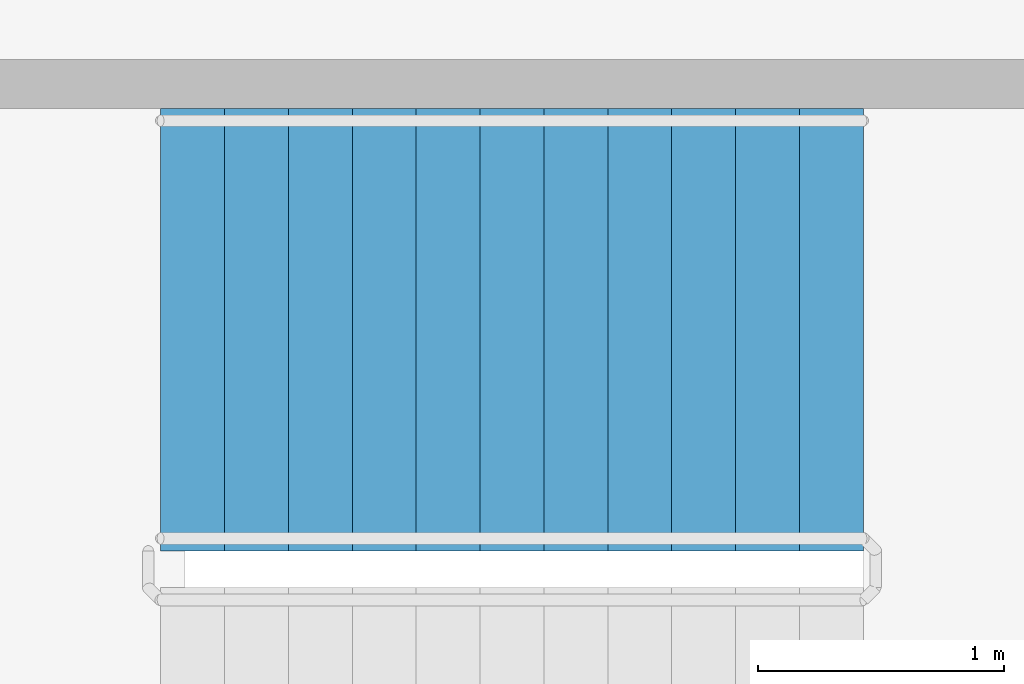
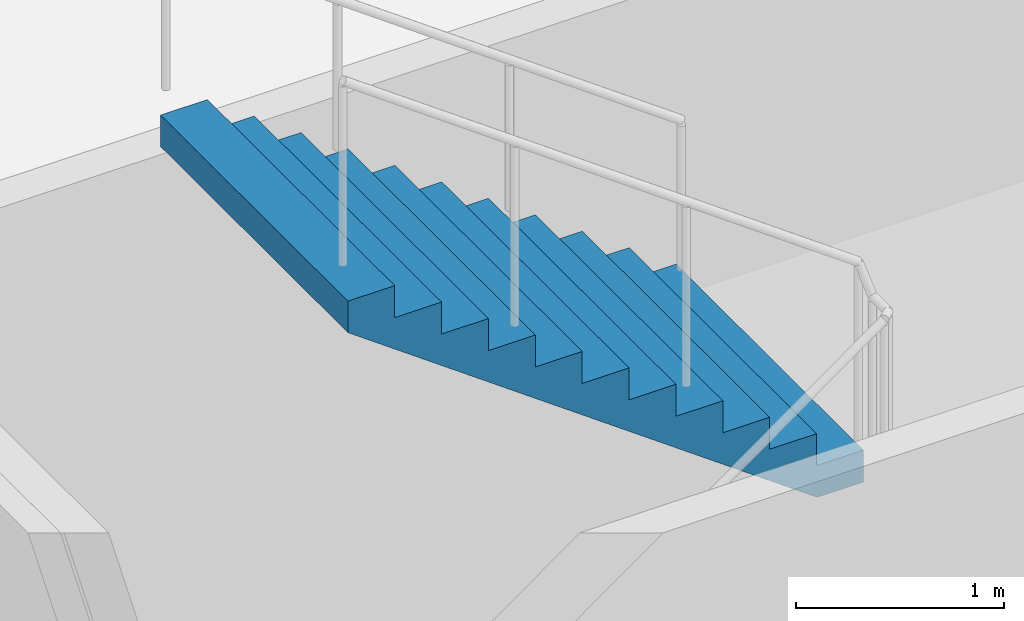
# One storey, part 45 of 49: 1 stair flight, 1 element without a shape of its own.
"""IFC4 building model written with IfcOpenShell, lengths in metres."""

import ifcopenshell
import ifcopenshell.guid

model = None  # the IFC model being written
_history = None  # IfcOwnerHistory: only IFC2X3 demands one
_inside = {}  # id of a spatial element -> (the spatial element, [elements in it])
_under = {}  # id of a project, library or spatial element -> (it, [spatial elements below it])
_declared = {}  # id of a project -> (the project, [libraries it declares])
_typed = {}  # id of a type object -> (the type object, [elements of that type])
_made_of = {}  # id of a material, layer set ... -> (it, [elements and type objects made of it])


def new_model(schema):
    """Start an empty IFC model of exactly this schema.

    Asked for "IFC4X3", IfcOpenShell would pick the latest addendum, in which some entities
    have other attributes; the version numbers below select the first issue.
    IFC2X3 requires an IfcOwnerHistory on every rooted entity: one is made here for all.
    """
    global model, _history
    if schema == "IFC4X3":
        model = ifcopenshell.file(schema_version=(4, 3, 0, 0))
    else:
        model = ifcopenshell.file(schema=schema)
    _inside.clear()
    _under.clear()
    _declared.clear()
    _typed.clear()
    _made_of.clear()
    _history = None
    if model.schema == "IFC2X3":
        org = make("IfcOrganization", Name="unknown")
        user = make(
            "IfcPersonAndOrganization",
            ThePerson=make("IfcPerson", FamilyName="unknown"),
            TheOrganization=org,
        )
        app = make(
            "IfcApplication",
            ApplicationDeveloper=org,
            Version="unknown",
            ApplicationFullName="unknown",
            ApplicationIdentifier="unknown",
        )
        _history = make(
            "IfcOwnerHistory",
            OwningUser=user,
            OwningApplication=app,
            ChangeAction="ADDED",
            CreationDate=0,
        )
    return model


def make(cls, **values):
    """One entity of the class cls with the attributes given. An attribute that is None is left unset."""
    return model.create_entity(
        cls, **{name: value for name, value in values.items() if value is not None}
    )


def rooted(cls, **values):
    """An entity with a GlobalId (a new one), such as an element, a storey or a relation."""
    return make(cls, GlobalId=ifcopenshell.guid.new(), OwnerHistory=_history, **values)


def si_unit(unit_type, name, prefix=None):
    """IfcSIUnit, for example si_unit("LENGTHUNIT", "METRE", prefix="MILLI")."""
    return make("IfcSIUnit", UnitType=unit_type, Prefix=prefix, Name=name)


def assignment(units):
    """IfcUnitAssignment: the units of a project."""
    return None if units is None else make("IfcUnitAssignment", Units=units)


def point(xyz):
    """IfcCartesianPoint."""
    return None if xyz is None else make("IfcCartesianPoint", Coordinates=xyz)


def direction(xyz):
    """IfcDirection."""
    return None if xyz is None else make("IfcDirection", DirectionRatios=xyz)


def frame(location, z_axis=None, x_axis=None):
    """IfcAxis2Placement3D, a coordinate frame: its origin and axes. An axis left out is left unset."""
    return make(
        "IfcAxis2Placement3D",
        Location=point(location),
        Axis=direction(z_axis),
        RefDirection=direction(x_axis),
    )


def origin():
    """The frame at (0, 0, 0) with its axes left unset."""
    return frame((0.0, 0.0, 0.0))


def place(relative_to, where):
    """IfcLocalPlacement: puts the frame where relative to a parent placement (None: the world)."""
    return make(
        "IfcLocalPlacement", PlacementRelTo=relative_to, RelativePlacement=where
    )


def context(
    kind, dimensions, precision=None, world=None, true_north=None, identifier=None
):
    """IfcGeometricRepresentationContext, for example the 3D "Model" context."""
    return make(
        "IfcGeometricRepresentationContext",
        ContextIdentifier=identifier,
        ContextType=kind,
        CoordinateSpaceDimension=dimensions,
        Precision=precision,
        WorldCoordinateSystem=world,
        TrueNorth=true_north,
    )


def subcontext(parent, identifier, kind, view, scale=None):
    """IfcGeometricRepresentationSubContext, for example "Body" below "Model"."""
    return make(
        "IfcGeometricRepresentationSubContext",
        ContextIdentifier=identifier,
        ContextType=kind,
        ParentContext=parent,
        TargetScale=scale,
        TargetView=view,
    )


def project(units=None, contexts=None):
    """IfcProject with its units and contexts."""
    return rooted(
        "IfcProject",
        Name="project",
        RepresentationContexts=contexts,
        UnitsInContext=assignment(units),
    )


def spatial(cls, under=None, at=None, **own):
    """A site, building, storey or space (cls), placed at a placement, below another one or the project."""
    s = rooted(cls, ObjectPlacement=at, **own)
    if under is not None:
        _under.setdefault(under.id(), (under, []))[1].append(s)
    return s


def faces_of(points, faces, orient=None, outer=None):
    """IfcFace entities. A face is a list of loops; a loop is a list of indices into points, from 0.

    orient and outer hold one flag for each loop. By default every Orientation is true, the
    first loop of a face is its IfcFaceOuterBound and the others are IfcFaceBound.
    """
    made = []
    for i, loops in enumerate(faces):
        bounds = []
        for j, loop in enumerate(loops):
            is_outer = j == 0 if outer is None else outer[i][j]
            bounds.append(
                make(
                    "IfcFaceOuterBound" if is_outer else "IfcFaceBound",
                    Bound=make("IfcPolyLoop", Polygon=[points[k] for k in loop]),
                    Orientation=True if orient is None else orient[i][j],
                )
            )
        made.append(make("IfcFace", Bounds=bounds))
    return made


def faceted_brep(points, faces, orient=None, outer=None, voids=None):
    """IfcFacetedBrep: a solid bounded by flat faces; with voids (closed shells), ...WithVoids."""
    shared = [point(p) for p in points]
    hull = make("IfcClosedShell", CfsFaces=faces_of(shared, faces, orient, outer))
    if voids is None:
        return make("IfcFacetedBrep", Outer=hull)
    return make(
        "IfcFacetedBrepWithVoids",
        Outer=hull,
        Voids=[
            make(cls, CfsFaces=faces_of(shared, fs, o, b)) for cls, fs, o, b in voids
        ],
    )


def shape(context_of_items, identifier, shape_type, items):
    """IfcShapeRepresentation: the items that make up one representation, for example the "Body"."""
    return make(
        "IfcShapeRepresentation",
        ContextOfItems=context_of_items,
        RepresentationIdentifier=identifier,
        RepresentationType=shape_type,
        Items=items,
    )


def material(Name=None, Category=None):
    """IfcMaterial."""
    return make("IfcMaterial", Name=Name, Category=Category)


def made_of(thing, what):
    """Note that an element or type object is made of a material, layer set ...; save() writes the relation."""
    if what is not None:
        _made_of.setdefault(what.id(), (what, []))[1].append(thing)
    return thing


def type_object(cls, material=None, **own):
    """A type object (cls), such as IfcWallType, which elements share."""
    return made_of(rooted(cls, **own), material)


def element(
    cls,
    number,
    at=None,
    inside=None,
    cuts=None,
    type_object=None,
    material=None,
    context=None,
    identifier="Body",
    shape_type=None,
    held_by="IfcProductDefinitionShape",
    body=None,
    shapes=None,
    **own,
):
    """One element of the class cls, such as IfcWall. Its Tag is "e" and its number.

    at: its placement. inside: the storey or other place that contains it. cuts: it is an
    opening in that element (IfcRelVoidsElement). A single representation is given by context,
    identifier, shape_type and body (its items); several are given by shapes. held_by: the class
    of the entity that holds the representations. save() writes the other relations.
    """
    e = rooted(cls, Tag="e%d" % number, ObjectPlacement=at, **own)
    if body is not None:
        shapes = [shape(context, identifier, shape_type, body)]
    if shapes is not None:
        e.Representation = make(held_by, Representations=shapes)
    if inside is not None:
        _inside.setdefault(inside.id(), (inside, []))[1].append(e)
    if cuts is not None:
        rooted(
            "IfcRelVoidsElement", RelatingBuildingElement=cuts, RelatedOpeningElement=e
        )
    if type_object is not None:
        _typed.setdefault(type_object.id(), (type_object, []))[1].append(e)
    return made_of(e, material)


def aggregate(whole, parts):
    """IfcRelAggregates: a whole, such as a stair, and the parts it consists of."""
    return rooted("IfcRelAggregates", RelatingObject=whole, RelatedObjects=parts)


def save(model, path):
    """Write the relations noted so far, then the file.

    IfcRelAggregates (storeys below a building ...), IfcRelContainedInSpatialStructure (elements
    in a storey), IfcRelDefinesByType, IfcRelAssociatesMaterial and IfcRelDeclares: one each for
    every whole, place, type object, material and project.
    """
    for whole, parts in _under.values():
        aggregate(whole, parts)
    for where, things in _inside.values():
        rooted(
            "IfcRelContainedInSpatialStructure",
            RelatedElements=things,
            RelatingStructure=where,
        )
    for kind, things in _typed.values():
        rooted("IfcRelDefinesByType", RelatedObjects=things, RelatingType=kind)
    for what, things in _made_of.values():
        rooted("IfcRelAssociatesMaterial", RelatedObjects=things, RelatingMaterial=what)
    for by, libraries in _declared.values():
        rooted("IfcRelDeclares", RelatingContext=by, RelatedDefinitions=libraries)
    model.write(path)


model = new_model("IFC4")

# Units and contexts
model_context = context("Model", 3, precision=1e-05, world=origin(), true_north=direction((0.0, 1.0)))
body_context = subcontext(model_context, "Body", "Model", "MODEL_VIEW")
ifc_project = project(units=[si_unit("LENGTHUNIT", "METRE"), si_unit("AREAUNIT", "SQUARE_METRE"), si_unit("VOLUMEUNIT", "CUBIC_METRE"), si_unit("PLANEANGLEUNIT", "RADIAN"), si_unit("MASSUNIT", "GRAM", prefix="KILO")], contexts=[model_context])

# Site, building, storey
site_placement = place(None, origin())
site = spatial("IfcSite", under=ifc_project, at=site_placement, CompositionType="ELEMENT")
building_placement = place(site_placement, origin())
building = spatial("IfcBuilding", under=site, at=building_placement, Name="Ipe Terrace Towers", CompositionType="ELEMENT")
storey_placement = place(building_placement, frame((0.0, 0.0, 11.0)))
storey = spatial("IfcBuildingStorey", under=building, at=storey_placement, Name="L02", CompositionType="ELEMENT", Elevation=11.0)

# Stair, stair flight
ifc_material_1 = material(Name="Concrete C30/37", Category="concrete")
stair_type = type_object("IfcStairType", Name="Protected exit stair", PredefinedType="HALF_TURN_STAIR", material=ifc_material_1)
stair_placement = place(storey_placement, origin())
stair = element("IfcStair", 1, at=stair_placement, inside=storey, type_object=stair_type, Name="L02 Podium exit stair PS8", PredefinedType="HALF_TURN_STAIR")
ifc_material_2 = material(Name="Concrete C30/37", Category="concrete")
stair_flight_type = type_object("IfcStairFlightType", Name="Exit stair flight 1800", PredefinedType="STRAIGHT", material=ifc_material_2)
stair_flight_placement = place(storey_placement, frame((61.550048828125, 4.449951171875, 2.25), z_axis=(0.0, 0.0, 1.0), x_axis=(-1.0, 0.0, 0.0)))
stair_flight = element("IfcStairFlight", 2, at=stair_flight_placement, type_object=stair_flight_type, Name="PS8 flight 2", NumberOfRisers=12, NumberOfTreads=11, PredefinedType="STRAIGHT", RiserHeight=0.1875, TreadLength=0.26, context=body_context, shape_type="Brep", body=[
    faceted_brep([(0.25634765625, -0.89990234375, 0.0), (2.860107421875, -0.89990234375, 1.877685546875), (2.860107421875, -0.89990234375, 2.0625), (2.60009765625, -0.89990234375, 2.0625), (2.60009765625, -0.89990234375, 1.875), (2.340087890625, -0.89990234375, 1.875), (2.340087890625, -0.89990234375, 1.6875), (2.080078125, -0.89990234375, 1.6875), (2.080078125, -0.89990234375, 1.5), (1.820068359375, -0.89990234375, 1.5), (1.820068359375, -0.89990234375, 1.3125), (1.56005859375, -0.89990234375, 1.3125), (1.56005859375, -0.89990234375, 1.125), (1.300048828125, -0.89990234375, 1.125), (1.300048828125, -0.89990234375, 0.9375), (1.0400390625, -0.89990234375, 0.9375), (1.0400390625, -0.89990234375, 0.75), (0.780029296875, -0.89990234375, 0.75), (0.780029296875, -0.89990234375, 0.5625), (0.52001953125, -0.89990234375, 0.5625), (0.52001953125, -0.89990234375, 0.375), (0.260009765625, -0.89990234375, 0.375), (0.260009765625, -0.89990234375, 0.1875), (0.0, -0.89990234375, 0.1875), (0.0, -0.89990234375, 0.0), (0.0, 0.89990234375, 0.0), (0.0, 0.89990234375, 0.1875), (0.260009765625, 0.89990234375, 0.1875), (0.260009765625, 0.89990234375, 0.375), (0.52001953125, 0.89990234375, 0.375), (0.52001953125, 0.89990234375, 0.5625), (0.780029296875, 0.89990234375, 0.5625), (0.780029296875, 0.89990234375, 0.75), (1.0400390625, 0.89990234375, 0.75), (1.0400390625, 0.89990234375, 0.9375), (1.300048828125, 0.89990234375, 0.9375), (1.300048828125, 0.89990234375, 1.125), (1.56005859375, 0.89990234375, 1.125), (1.56005859375, 0.89990234375, 1.3125), (1.820068359375, 0.89990234375, 1.3125), (1.820068359375, 0.89990234375, 1.5), (2.080078125, 0.89990234375, 1.5), (2.080078125, 0.89990234375, 1.6875), (2.340087890625, 0.89990234375, 1.6875), (2.340087890625, 0.89990234375, 1.875), (2.60009765625, 0.89990234375, 1.875), (2.60009765625, 0.89990234375, 2.0625), (2.860107421875, 0.89990234375, 2.0625), (2.860107421875, 0.89990234375, 1.877685546875), (0.25634765625, 0.89990234375, 0.0), (0.0, -0.300048828125, 0.1875), (0.0, -0.1201171875, 0.1875), (0.0, -0.06005859375, 0.1875), (0.0, -0.030029296875, 0.1875), (0.0, -0.010009765625, 0.1875), (0.0, 0.0, 0.1875), (0.0, 0.010009765625, 0.1875), (0.0, 0.030029296875, 0.1875), (0.0, 0.06005859375, 0.1875), (0.0, 0.1201171875, 0.1875), (0.0, 0.300048828125, 0.1875), (0.0, 0.300048828125, 0.0), (0.0, 0.1201171875, 0.0), (0.0, 0.06005859375, 0.0), (0.0, 0.030029296875, 0.0), (0.0, 0.010009765625, 0.0), (0.0, 0.0, 0.0), (0.0, -0.010009765625, 0.0), (0.0, -0.030029296875, 0.0), (0.0, -0.06005859375, 0.0), (0.0, -0.1201171875, 0.0), (0.0, -0.300048828125, 0.0), (0.260009765625, -0.300048828125, 0.1875), (0.260009765625, -0.1201171875, 0.1875), (0.260009765625, -0.06005859375, 0.1875), (0.260009765625, -0.030029296875, 0.1875), (0.260009765625, -0.010009765625, 0.1875), (0.260009765625, 0.0, 0.1875), (0.260009765625, 0.010009765625, 0.1875), (0.260009765625, 0.030029296875, 0.1875), (0.260009765625, 0.06005859375, 0.1875), (0.260009765625, 0.1201171875, 0.1875), (0.260009765625, 0.300048828125, 0.1875), (0.260009765625, -0.300048828125, 0.375), (0.260009765625, -0.1201171875, 0.375), (0.260009765625, -0.06005859375, 0.375), (0.260009765625, -0.030029296875, 0.375), (0.260009765625, -0.010009765625, 0.375), (0.260009765625, 0.0, 0.375), (0.260009765625, 0.010009765625, 0.375), (0.260009765625, 0.030029296875, 0.375), (0.260009765625, 0.06005859375, 0.375), (0.260009765625, 0.1201171875, 0.375), (0.260009765625, 0.300048828125, 0.375), (0.52001953125, -0.300048828125, 0.375), (0.52001953125, -0.1201171875, 0.375), (0.52001953125, -0.06005859375, 0.375), (0.52001953125, -0.030029296875, 0.375), (0.52001953125, -0.010009765625, 0.375), (0.52001953125, 0.0, 0.375), (0.52001953125, 0.010009765625, 0.375), (0.52001953125, 0.030029296875, 0.375), (0.52001953125, 0.06005859375, 0.375), (0.52001953125, 0.1201171875, 0.375), (0.52001953125, 0.300048828125, 0.375), (0.52001953125, -0.300048828125, 0.5625), (0.52001953125, -0.1201171875, 0.5625), (0.52001953125, -0.06005859375, 0.5625), (0.52001953125, -0.030029296875, 0.5625), (0.52001953125, -0.010009765625, 0.5625), (0.52001953125, 0.0, 0.5625), (0.52001953125, 0.010009765625, 0.5625), (0.52001953125, 0.030029296875, 0.5625), (0.52001953125, 0.06005859375, 0.5625), (0.52001953125, 0.1201171875, 0.5625), (0.52001953125, 0.300048828125, 0.5625), (0.780029296875, -0.300048828125, 0.5625), (0.780029296875, -0.1201171875, 0.5625), (0.780029296875, -0.06005859375, 0.5625), (0.780029296875, -0.030029296875, 0.5625), (0.780029296875, -0.010009765625, 0.5625), (0.780029296875, 0.0, 0.5625), (0.780029296875, 0.010009765625, 0.5625), (0.780029296875, 0.030029296875, 0.5625), (0.780029296875, 0.06005859375, 0.5625), (0.780029296875, 0.1201171875, 0.5625), (0.780029296875, 0.300048828125, 0.5625), (0.780029296875, -0.300048828125, 0.75), (0.780029296875, -0.1201171875, 0.75), (0.780029296875, -0.06005859375, 0.75), (0.780029296875, -0.030029296875, 0.75), (0.780029296875, -0.010009765625, 0.75), (0.780029296875, 0.0, 0.75), (0.780029296875, 0.010009765625, 0.75), (0.780029296875, 0.030029296875, 0.75), (0.780029296875, 0.06005859375, 0.75), (0.780029296875, 0.1201171875, 0.75), (0.780029296875, 0.300048828125, 0.75), (1.0400390625, -0.300048828125, 0.75), (1.0400390625, -0.1201171875, 0.75), (1.0400390625, -0.06005859375, 0.75), (1.0400390625, -0.030029296875, 0.75), (1.0400390625, -0.010009765625, 0.75), (1.0400390625, 0.0, 0.75), (1.0400390625, 0.010009765625, 0.75), (1.0400390625, 0.030029296875, 0.75), (1.0400390625, 0.06005859375, 0.75), (1.0400390625, 0.1201171875, 0.75), (1.0400390625, 0.300048828125, 0.75), (1.0400390625, -0.300048828125, 0.9375), (1.0400390625, -0.1201171875, 0.9375), (1.0400390625, -0.06005859375, 0.9375), (1.0400390625, -0.030029296875, 0.9375), (1.0400390625, -0.010009765625, 0.9375), (1.0400390625, 0.0, 0.9375), (1.0400390625, 0.010009765625, 0.9375), (1.0400390625, 0.030029296875, 0.9375), (1.0400390625, 0.06005859375, 0.9375), (1.0400390625, 0.1201171875, 0.9375), (1.0400390625, 0.300048828125, 0.9375), (1.300048828125, -0.300048828125, 0.9375), (1.300048828125, -0.1201171875, 0.9375), (1.300048828125, -0.06005859375, 0.9375), (1.300048828125, -0.030029296875, 0.9375), (1.300048828125, -0.010009765625, 0.9375), (1.300048828125, 0.0, 0.9375), (1.300048828125, 0.010009765625, 0.9375), (1.300048828125, 0.030029296875, 0.9375), (1.300048828125, 0.06005859375, 0.9375), (1.300048828125, 0.1201171875, 0.9375), (1.300048828125, 0.300048828125, 0.9375), (1.300048828125, -0.300048828125, 1.125), (1.300048828125, -0.1201171875, 1.125), (1.300048828125, -0.06005859375, 1.125), (1.300048828125, -0.030029296875, 1.125), (1.300048828125, -0.010009765625, 1.125), (1.300048828125, 0.0, 1.125), (1.300048828125, 0.010009765625, 1.125), (1.300048828125, 0.030029296875, 1.125), (1.300048828125, 0.06005859375, 1.125), (1.300048828125, 0.1201171875, 1.125), (1.300048828125, 0.300048828125, 1.125), (1.56005859375, -0.300048828125, 1.125), (1.56005859375, -0.1201171875, 1.125), (1.56005859375, -0.06005859375, 1.125), (1.56005859375, -0.030029296875, 1.125), (1.56005859375, -0.010009765625, 1.125), (1.56005859375, 0.0, 1.125), (1.56005859375, 0.010009765625, 1.125), (1.56005859375, 0.030029296875, 1.125), (1.56005859375, 0.06005859375, 1.125), (1.56005859375, 0.1201171875, 1.125), (1.56005859375, 0.300048828125, 1.125), (1.56005859375, -0.300048828125, 1.3125), (1.56005859375, -0.1201171875, 1.3125), (1.56005859375, -0.06005859375, 1.3125), (1.56005859375, -0.030029296875, 1.3125), (1.56005859375, -0.010009765625, 1.3125), (1.56005859375, 0.0, 1.3125), (1.56005859375, 0.010009765625, 1.3125), (1.56005859375, 0.030029296875, 1.3125), (1.56005859375, 0.06005859375, 1.3125), (1.56005859375, 0.1201171875, 1.3125), (1.56005859375, 0.300048828125, 1.3125), (1.820068359375, -0.300048828125, 1.3125), (1.820068359375, -0.1201171875, 1.3125), (1.820068359375, -0.06005859375, 1.3125), (1.820068359375, -0.030029296875, 1.3125), (1.820068359375, -0.010009765625, 1.3125), (1.820068359375, 0.0, 1.3125), (1.820068359375, 0.010009765625, 1.3125), (1.820068359375, 0.030029296875, 1.3125), (1.820068359375, 0.06005859375, 1.3125), (1.820068359375, 0.1201171875, 1.3125), (1.820068359375, 0.300048828125, 1.3125), (1.820068359375, -0.300048828125, 1.5), (1.820068359375, -0.1201171875, 1.5), (1.820068359375, -0.06005859375, 1.5), (1.820068359375, -0.030029296875, 1.5), (1.820068359375, -0.010009765625, 1.5), (1.820068359375, 0.0, 1.5), (1.820068359375, 0.010009765625, 1.5), (1.820068359375, 0.030029296875, 1.5), (1.820068359375, 0.06005859375, 1.5), (1.820068359375, 0.1201171875, 1.5), (1.820068359375, 0.300048828125, 1.5), (2.080078125, -0.300048828125, 1.5), (2.080078125, -0.1201171875, 1.5), (2.080078125, -0.06005859375, 1.5), (2.080078125, -0.030029296875, 1.5), (2.080078125, -0.010009765625, 1.5), (2.080078125, 0.0, 1.5), (2.080078125, 0.010009765625, 1.5), (2.080078125, 0.030029296875, 1.5), (2.080078125, 0.06005859375, 1.5), (2.080078125, 0.1201171875, 1.5), (2.080078125, 0.300048828125, 1.5), (2.080078125, -0.300048828125, 1.6875), (2.080078125, -0.1201171875, 1.6875), (2.080078125, -0.06005859375, 1.6875), (2.080078125, -0.030029296875, 1.6875), (2.080078125, -0.010009765625, 1.6875), (2.080078125, 0.0, 1.6875), (2.080078125, 0.010009765625, 1.6875), (2.080078125, 0.030029296875, 1.6875), (2.080078125, 0.06005859375, 1.6875), (2.080078125, 0.1201171875, 1.6875), (2.080078125, 0.300048828125, 1.6875), (2.340087890625, -0.300048828125, 1.6875), (2.340087890625, -0.1201171875, 1.6875), (2.340087890625, -0.06005859375, 1.6875), (2.340087890625, -0.030029296875, 1.6875), (2.340087890625, -0.010009765625, 1.6875), (2.340087890625, 0.0, 1.6875), (2.340087890625, 0.010009765625, 1.6875), (2.340087890625, 0.030029296875, 1.6875), (2.340087890625, 0.06005859375, 1.6875), (2.340087890625, 0.1201171875, 1.6875), (2.340087890625, 0.300048828125, 1.6875), (2.340087890625, -0.300048828125, 1.875), (2.340087890625, -0.1201171875, 1.875), (2.340087890625, -0.06005859375, 1.875), (2.340087890625, -0.030029296875, 1.875), (2.340087890625, -0.010009765625, 1.875), (2.340087890625, 0.0, 1.875), (2.340087890625, 0.010009765625, 1.875), (2.340087890625, 0.030029296875, 1.875), (2.340087890625, 0.06005859375, 1.875), (2.340087890625, 0.1201171875, 1.875), (2.340087890625, 0.300048828125, 1.875), (2.60009765625, -0.300048828125, 1.875), (2.60009765625, -0.1201171875, 1.875), (2.60009765625, -0.06005859375, 1.875), (2.60009765625, -0.030029296875, 1.875), (2.60009765625, -0.010009765625, 1.875), (2.60009765625, 0.0, 1.875), (2.60009765625, 0.010009765625, 1.875), (2.60009765625, 0.030029296875, 1.875), (2.60009765625, 0.06005859375, 1.875), (2.60009765625, 0.1201171875, 1.875), (2.60009765625, 0.300048828125, 1.875), (2.60009765625, -0.300048828125, 2.0625), (2.60009765625, -0.1201171875, 2.0625), (2.60009765625, -0.06005859375, 2.0625), (2.60009765625, -0.030029296875, 2.0625), (2.60009765625, -0.010009765625, 2.0625), (2.60009765625, 0.0, 2.0625), (2.60009765625, 0.010009765625, 2.0625), (2.60009765625, 0.030029296875, 2.0625), (2.60009765625, 0.06005859375, 2.0625), (2.60009765625, 0.1201171875, 2.0625), (2.60009765625, 0.300048828125, 2.0625), (2.860107421875, -0.300048828125, 2.0625), (2.860107421875, -0.1201171875, 2.0625), (2.860107421875, -0.06005859375, 2.0625), (2.860107421875, -0.030029296875, 2.0625), (2.860107421875, -0.010009765625, 2.0625), (2.860107421875, 0.0, 2.0625), (2.860107421875, 0.010009765625, 2.0625), (2.860107421875, 0.030029296875, 2.0625), (2.860107421875, 0.06005859375, 2.0625), (2.860107421875, 0.1201171875, 2.0625), (2.860107421875, 0.300048828125, 2.0625), (2.860107421875, -0.300048828125, 1.877685546875), (2.860107421875, -0.1201171875, 1.877685546875), (2.860107421875, -0.06005859375, 1.877685546875), (2.860107421875, -0.030029296875, 1.877685546875), (2.860107421875, -0.010009765625, 1.877685546875), (2.860107421875, 0.0, 1.877685546875), (2.860107421875, 0.010009765625, 1.877685546875), (2.860107421875, 0.030029296875, 1.877685546875), (2.860107421875, 0.06005859375, 1.877685546875), (2.860107421875, 0.1201171875, 1.877685546875), (2.860107421875, 0.300048828125, 1.877685546875), (0.25634765625, -0.300048828125, 0.0), (0.25634765625, -0.1201171875, 0.0), (0.25634765625, -0.06005859375, 0.0), (0.25634765625, -0.030029296875, 0.0), (0.25634765625, -0.010009765625, 0.0), (0.25634765625, 0.0, 0.0), (0.25634765625, 0.010009765625, 0.0), (0.25634765625, 0.030029296875, 0.0), (0.25634765625, 0.06005859375, 0.0), (0.25634765625, 0.1201171875, 0.0), (0.25634765625, 0.300048828125, 0.0)], [[[0, 1, 2, 3, 4, 5, 6, 7, 8, 9, 10, 11, 12, 13, 14, 15, 16, 17, 18, 19, 20, 21, 22, 23, 24]], [[25, 26, 27, 28, 29, 30, 31, 32, 33, 34, 35, 36, 37, 38, 39, 40, 41, 42, 43, 44, 45, 46, 47, 48, 49]], [[23, 50, 51, 52, 53, 54, 55, 56, 57, 58, 59, 60, 26, 25, 61, 62, 63, 64, 65, 66, 67, 68, 69, 70, 71, 24]], [[22, 72, 73, 74, 75, 76, 77, 78, 79, 80, 81, 82, 27, 26, 60, 59, 58, 57, 56, 55, 54, 53, 52, 51, 50, 23]], [[21, 83, 84, 85, 86, 87, 88, 89, 90, 91, 92, 93, 28, 27, 82, 81, 80, 79, 78, 77, 76, 75, 74, 73, 72, 22]], [[20, 94, 95, 96, 97, 98, 99, 100, 101, 102, 103, 104, 29, 28, 93, 92, 91, 90, 89, 88, 87, 86, 85, 84, 83, 21]], [[19, 105, 106, 107, 108, 109, 110, 111, 112, 113, 114, 115, 30, 29, 104, 103, 102, 101, 100, 99, 98, 97, 96, 95, 94, 20]], [[18, 116, 117, 118, 119, 120, 121, 122, 123, 124, 125, 126, 31, 30, 115, 114, 113, 112, 111, 110, 109, 108, 107, 106, 105, 19]], [[17, 127, 128, 129, 130, 131, 132, 133, 134, 135, 136, 137, 32, 31, 126, 125, 124, 123, 122, 121, 120, 119, 118, 117, 116, 18]], [[16, 138, 139, 140, 141, 142, 143, 144, 145, 146, 147, 148, 33, 32, 137, 136, 135, 134, 133, 132, 131, 130, 129, 128, 127, 17]], [[15, 149, 150, 151, 152, 153, 154, 155, 156, 157, 158, 159, 34, 33, 148, 147, 146, 145, 144, 143, 142, 141, 140, 139, 138, 16]], [[14, 160, 161, 162, 163, 164, 165, 166, 167, 168, 169, 170, 35, 34, 159, 158, 157, 156, 155, 154, 153, 152, 151, 150, 149, 15]], [[13, 171, 172, 173, 174, 175, 176, 177, 178, 179, 180, 181, 36, 35, 170, 169, 168, 167, 166, 165, 164, 163, 162, 161, 160, 14]], [[12, 182, 183, 184, 185, 186, 187, 188, 189, 190, 191, 192, 37, 36, 181, 180, 179, 178, 177, 176, 175, 174, 173, 172, 171, 13]], [[11, 193, 194, 195, 196, 197, 198, 199, 200, 201, 202, 203, 38, 37, 192, 191, 190, 189, 188, 187, 186, 185, 184, 183, 182, 12]], [[10, 204, 205, 206, 207, 208, 209, 210, 211, 212, 213, 214, 39, 38, 203, 202, 201, 200, 199, 198, 197, 196, 195, 194, 193, 11]], [[9, 215, 216, 217, 218, 219, 220, 221, 222, 223, 224, 225, 40, 39, 214, 213, 212, 211, 210, 209, 208, 207, 206, 205, 204, 10]], [[8, 226, 227, 228, 229, 230, 231, 232, 233, 234, 235, 236, 41, 40, 225, 224, 223, 222, 221, 220, 219, 218, 217, 216, 215, 9]], [[7, 237, 238, 239, 240, 241, 242, 243, 244, 245, 246, 247, 42, 41, 236, 235, 234, 233, 232, 231, 230, 229, 228, 227, 226, 8]], [[6, 248, 249, 250, 251, 252, 253, 254, 255, 256, 257, 258, 43, 42, 247, 246, 245, 244, 243, 242, 241, 240, 239, 238, 237, 7]], [[5, 259, 260, 261, 262, 263, 264, 265, 266, 267, 268, 269, 44, 43, 258, 257, 256, 255, 254, 253, 252, 251, 250, 249, 248, 6]], [[4, 270, 271, 272, 273, 274, 275, 276, 277, 278, 279, 280, 45, 44, 269, 268, 267, 266, 265, 264, 263, 262, 261, 260, 259, 5]], [[3, 281, 282, 283, 284, 285, 286, 287, 288, 289, 290, 291, 46, 45, 280, 279, 278, 277, 276, 275, 274, 273, 272, 271, 270, 4]], [[2, 292, 293, 294, 295, 296, 297, 298, 299, 300, 301, 302, 47, 46, 291, 290, 289, 288, 287, 286, 285, 284, 283, 282, 281, 3]], [[1, 303, 304, 305, 306, 307, 308, 309, 310, 311, 312, 313, 48, 47, 302, 301, 300, 299, 298, 297, 296, 295, 294, 293, 292, 2]], [[0, 314, 315, 316, 317, 318, 319, 320, 321, 322, 323, 324, 49, 48, 313, 312, 311, 310, 309, 308, 307, 306, 305, 304, 303, 1]], [[24, 71, 70, 69, 68, 67, 66, 65, 64, 63, 62, 61, 25, 49, 324, 323, 322, 321, 320, 319, 318, 317, 316, 315, 314, 0]]]),
])
aggregate(stair, [stair_flight])

save(model, "model.ifc")
